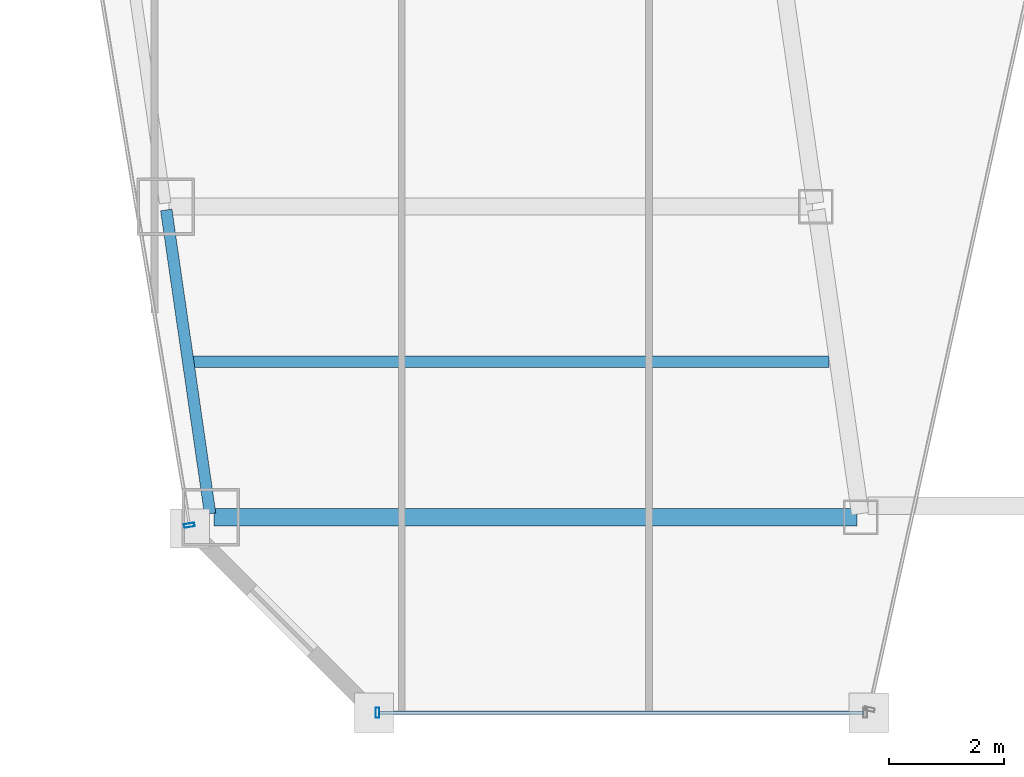
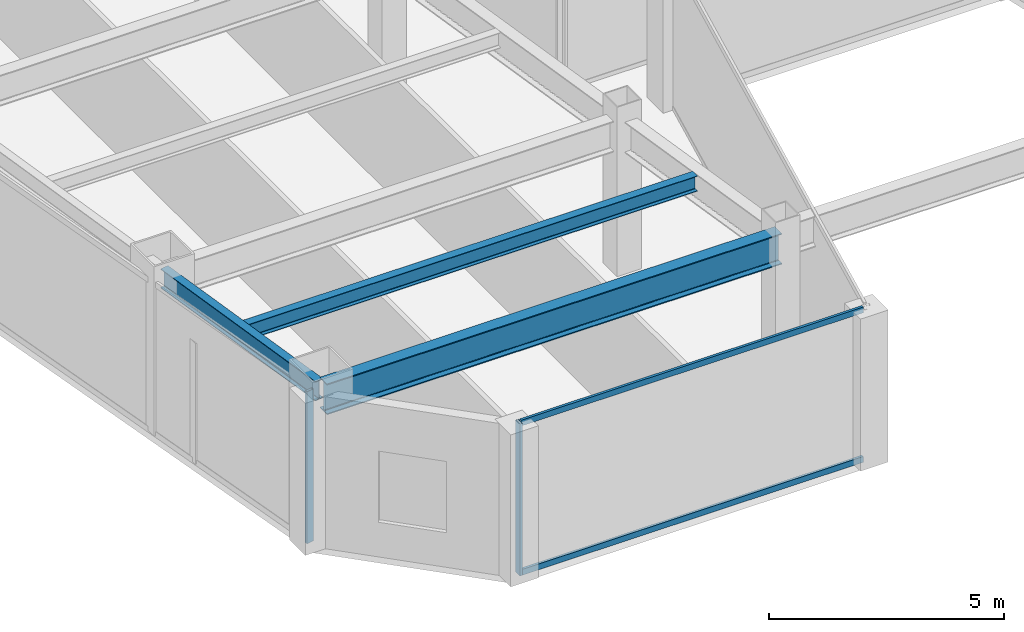
# One storey, part 2 of 36: 4 members, 3 beams, 2 elements without a shape of their own.
"""IFC4 building model written with IfcOpenShell, lengths in metres."""

from ifc_helpers import new_model, si_unit, direction, frame, origin, origin_2d, place, context, subcontext, project, spatial, hollow_rectangle, i_section, extrude, material, material_profile, profile_set, type_object, element, aggregate, save


model = new_model("IFC4")

# Units and contexts
model_context = context("Model", 3, precision=1e-05, world=origin(), true_north=direction((0.0, 1.0)))
body_context = subcontext(model_context, "Body", "Model", "MODEL_VIEW")
ifc_project = project(units=[si_unit("LENGTHUNIT", "METRE"), si_unit("AREAUNIT", "SQUARE_METRE"), si_unit("VOLUMEUNIT", "CUBIC_METRE"), si_unit("PLANEANGLEUNIT", "RADIAN"), si_unit("MASSUNIT", "GRAM", prefix="KILO")], contexts=[model_context])

# Site, building, storey
site_placement = place(None, origin())
site = spatial("IfcSite", under=ifc_project, at=site_placement, CompositionType="ELEMENT")
building_placement = place(site_placement, origin())
building = spatial("IfcBuilding", under=site, at=building_placement, Name="Saevonmaru Cultural Tower", CompositionType="ELEMENT")
storey_placement = place(building_placement, frame((0.0, 0.0, 119.199951171875)))
storey = spatial("IfcBuildingStorey", under=building, at=storey_placement, Name="L25", CompositionType="ELEMENT", Elevation=119.199951171875)

# Beams
ifc_material_1 = material(Name="Steel SM420", Category="steel")
ifc_material_profile_1 = material_profile(ifc_material_1, i_section(OverallWidth=0.300048828125, OverallDepth=0.800048828125, WebThickness=0.013916015625, FlangeThickness=0.02587890625, FilletRadius=0.028076171875, at=origin_2d()), Name="H-800x300x14x26")
ifc_profile_set_1 = profile_set([ifc_material_profile_1], Name="Steel SM420")
beam_type_1 = type_object("IfcBeamType", Name="BM-G-H800", PredefinedType="BEAM", material=ifc_profile_set_1)
beam_1_placement = place(storey_placement, frame((11.468017578125, 10.60009765625, 3.550048828125), z_axis=(1.0, 0.0, 0.0), x_axis=(0.0, 1.0, 0.0)))
element("IfcBeam", 1, at=beam_1_placement, inside=storey, type_object=beam_type_1, Name="L25 West Wing Transverse Girder 1", PredefinedType="BEAM", context=body_context, shape_type="SweptSolid", body=[
    extrude(i_section(OverallWidth=0.300048828125, OverallDepth=0.800048828125, WebThickness=0.013916015625, FlangeThickness=0.02587890625, FilletRadius=0.028076171875, at=origin_2d()), origin(), (0.0, 0.0, 1.0), 11.179931640625),
])
ifc_material_2 = material(Name="Steel SM355", Category="steel")
ifc_material_profile_2 = material_profile(ifc_material_2, i_section(OverallWidth=0.199951171875, OverallDepth=0.39990234375, WebThickness=0.008056640625, FlangeThickness=0.012939453125, FilletRadius=0.01611328125, at=origin_2d()), Name="H-400x200x8x13")
ifc_profile_set_2 = profile_set([ifc_material_profile_2], Name="Steel SM355")
beam_type_2 = type_object("IfcBeamType", Name="BM-J-H400", PredefinedType="JOIST", material=ifc_profile_set_2)
beam_2_placement = place(storey_placement, frame((11.077880859375, 13.300048828125, 3.75), z_axis=(1.0, 0.0, 0.0), x_axis=(0.0, 1.0, 0.0)))
element("IfcBeam", 2, at=beam_2_placement, inside=storey, type_object=beam_type_2, Name="L25 West Wing Floor Joist 1", PredefinedType="JOIST", context=body_context, shape_type="SweptSolid", body=[
    extrude(i_section(OverallWidth=0.199951171875, OverallDepth=0.39990234375, WebThickness=0.008056640625, FlangeThickness=0.012939453125, FilletRadius=0.01611328125, at=origin_2d()), origin(), (0.0, 0.0, 1.0), 11.08203125),
])
ifc_material_profile_3 = material_profile(ifc_material_2, i_section(OverallWidth=0.199951171875, OverallDepth=0.5, WebThickness=0.010009765625, FlangeThickness=0.01611328125, FilletRadius=0.02001953125, at=origin_2d()), Name="H-500x200x10x16")
ifc_profile_set_3 = profile_set([ifc_material_profile_3], Name="Steel SM355")
beam_type_3 = type_object("IfcBeamType", Name="BM-SP-H500", PredefinedType="SPANDREL", material=ifc_profile_set_3)
beam_3_placement = place(storey_placement, frame((11.3994140625, 10.659423828125, 3.699951171875), z_axis=(-0.1429328758, 0.989732384544, 0.0), x_axis=(-0.989732384544, -0.1429328758, 0.0)))
element("IfcBeam", 3, at=beam_3_placement, inside=storey, type_object=beam_type_3, Name="L25 West Splayed Spandrel 1", PredefinedType="SPANDREL", context=body_context, shape_type="SweptSolid", body=[
    extrude(i_section(OverallWidth=0.199951171875, OverallDepth=0.5, WebThickness=0.010009765625, FlangeThickness=0.01611328125, FilletRadius=0.02001953125, at=origin_2d()), origin(), (0.0, 0.0, 1.0), 5.3359375),
])

# Curtain wall, member
ifc_material_3 = material(Name="Satin Bronze Anodised Aluminium", Category="aluminium")
curtain_wall_type = type_object("IfcCurtainWallType", Name="CW-TYP-A", PredefinedType="NOTDEFINED", material=ifc_material_3)
curtain_wall_1_placement = place(storey_placement, origin())
curtain_wall_1 = element("IfcCurtainWall", 4, at=curtain_wall_1_placement, inside=storey, type_object=curtain_wall_type, Name="L25 Unitised Curtain Wall E2", PredefinedType="NOTDEFINED")
ifc_material_profile_4 = material_profile(ifc_material_3, hollow_rectangle(XDim=0.06494140625, YDim=0.179931640625, WallThickness=0.00390625, at=origin_2d()), Name="ALU-MULL-180x65x4")
ifc_profile_set_4 = profile_set([ifc_material_profile_4], Name="Satin Bronze Anodised Aluminium")
member_type_1 = type_object("IfcMemberType", Name="ML-CW-180x65", PredefinedType="MULLION", material=ifc_profile_set_4)
member_1_placement = place(storey_placement, frame((14.308837890625, 7.199951171875, 0.0), z_axis=(0.0, 0.0, 1.0), x_axis=(1.0, 0.0, 0.0)))
member_1 = element("IfcMember", 5, at=member_1_placement, type_object=member_type_1, Name="CW-TW-L25-E2 mullion 1", PredefinedType="MULLION", context=body_context, shape_type="SweptSolid", body=[
    extrude(hollow_rectangle(XDim=0.06494140625, YDim=0.179931640625, WallThickness=0.00390625, at=origin_2d()), origin(), (0.0, 0.0, 1.0), 3.949951171875),
])

curtain_wall_2_placement = place(storey_placement, origin())
curtain_wall_2 = element("IfcCurtainWall", 6, at=curtain_wall_2_placement, inside=storey, type_object=curtain_wall_type, Name="L25 Unitised Curtain Wall E12", PredefinedType="NOTDEFINED")
member_2_placement = place(storey_placement, frame((11.0390625, 10.459228515625, 0.0), z_axis=(0.0, 0.0, 1.0), x_axis=(0.163998702345, -0.986460554523, 0.0)))
member_2 = element("IfcMember", 7, at=member_2_placement, type_object=member_type_1, Name="CW-TW-L25-E12 mullion 5", PredefinedType="MULLION", context=body_context, shape_type="SweptSolid", body=[
    extrude(hollow_rectangle(XDim=0.06494140625, YDim=0.179931640625, WallThickness=0.00390625, at=origin_2d()), origin(), (0.0, 0.0, 1.0), 3.949951171875),
])
aggregate(curtain_wall_2, [member_2])

# Member
ifc_material_profile_5 = material_profile(ifc_material_3, hollow_rectangle(XDim=0.06494140625, YDim=0.14990234375, WallThickness=0.00390625, at=origin_2d()), Name="ALU-TRAN-150x65x4")
ifc_profile_set_5 = profile_set([ifc_material_profile_5], Name="Satin Bronze Anodised Aluminium")
member_type_2 = type_object("IfcMemberType", Name="TR-CW-150x65", PredefinedType="USERDEFINED", material=ifc_profile_set_5)
member_3_placement = place(storey_placement, frame((14.34130859375, 7.199951171875, 0.032470703125), z_axis=(1.0, 0.0, 0.0), x_axis=(0.0, 1.0, 0.0)))
member_3 = element("IfcMember", 8, at=member_3_placement, type_object=member_type_2, Name="CW-TW-L25-E2 transom 1.1", ObjectType="TRANSOM", PredefinedType="USERDEFINED", context=body_context, shape_type="SweptSolid", body=[
    extrude(hollow_rectangle(XDim=0.06494140625, YDim=0.14990234375, WallThickness=0.00390625, at=origin_2d()), origin(), (0.0, 0.0, 1.0), 8.4150390625),
])

member_4_placement = place(storey_placement, frame((14.34130859375, 7.199951171875, 3.91748046875), z_axis=(1.0, 0.0, 0.0), x_axis=(0.0, 1.0, 0.0)))
member_4 = element("IfcMember", 9, at=member_4_placement, type_object=member_type_2, Name="CW-TW-L25-E2 transom 1.2", ObjectType="TRANSOM", PredefinedType="USERDEFINED", context=body_context, shape_type="SweptSolid", body=[
    extrude(hollow_rectangle(XDim=0.06494140625, YDim=0.14990234375, WallThickness=0.00390625, at=origin_2d()), origin(), (0.0, 0.0, 1.0), 8.4150390625),
])

aggregate(curtain_wall_1, [member_1, member_3, member_4])

save(model, "model.ifc")
